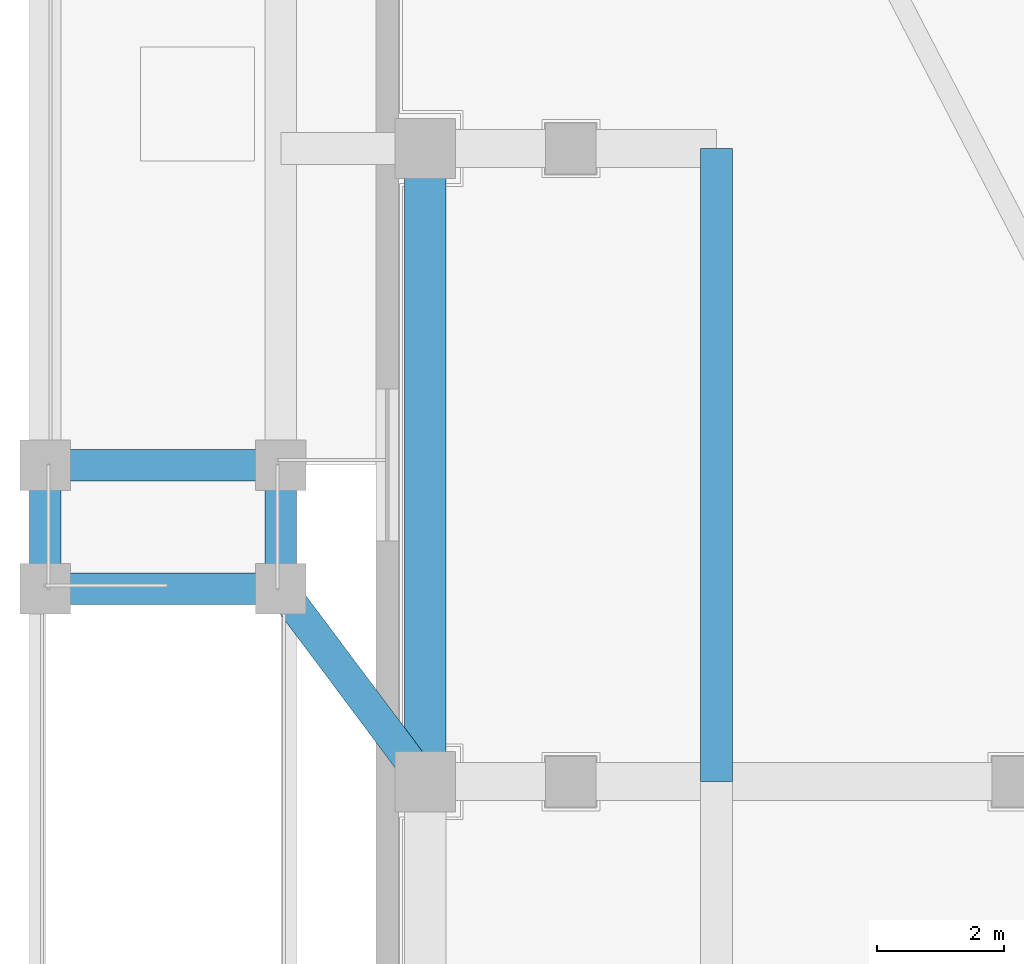
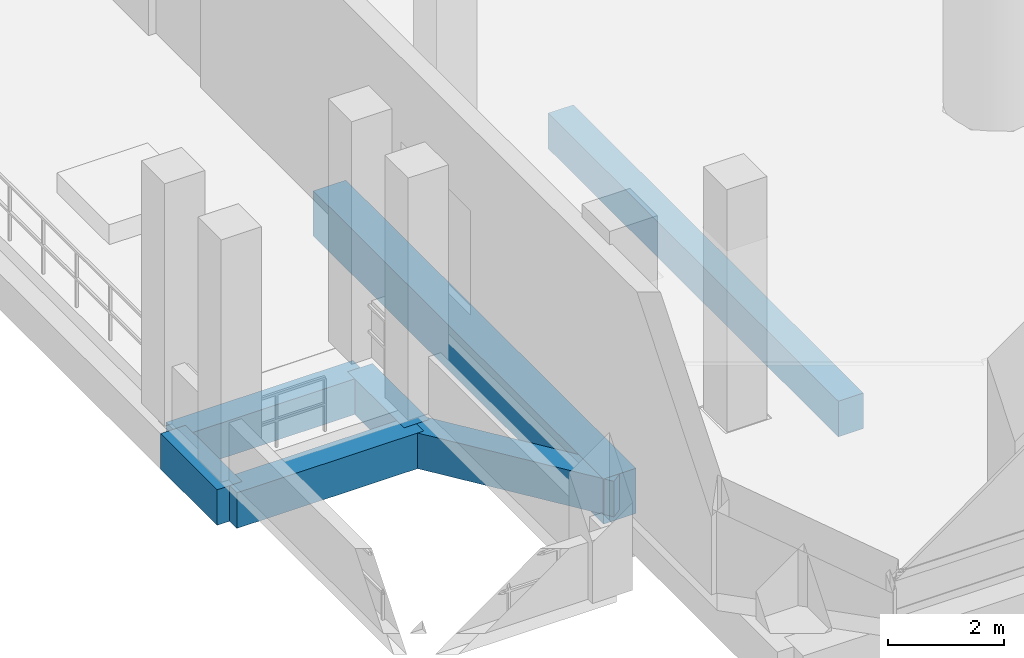
# One storey, part 3 of 31: 7 beams.
"""IFC4 building model written with IfcOpenShell, lengths in metres."""

from ifc_helpers import new_model, si_unit, direction, frame, origin, origin_2d, place, context, subcontext, project, spatial, rectangle, extrude, material, material_profile, profile_set, type_object, element, save


model = new_model("IFC4")

# Units and contexts
model_context = context("Model", 3, precision=1e-05, world=origin(), true_north=direction((-0.2419218956, 0.970295726276)))
body_context = subcontext(model_context, "Body", "Model", "MODEL_VIEW")
ifc_project = project(units=[si_unit("LENGTHUNIT", "METRE"), si_unit("AREAUNIT", "SQUARE_METRE"), si_unit("VOLUMEUNIT", "CUBIC_METRE"), si_unit("PLANEANGLEUNIT", "RADIAN"), si_unit("MASSUNIT", "GRAM", prefix="KILO")], contexts=[model_context])

# Site, building, storey
site_placement = place(None, origin())
site = spatial("IfcSite", under=ifc_project, at=site_placement, CompositionType="ELEMENT")
building_placement = place(site_placement, origin())
building = spatial("IfcBuilding", under=site, at=building_placement, Name="Cobrevalo Terracotta Tower", CompositionType="ELEMENT")
storey_placement = place(building_placement, frame((0.0, 0.0, 18.89990234375)))
storey = spatial("IfcBuildingStorey", under=building, at=storey_placement, Name="L04", CompositionType="ELEMENT", Elevation=18.89990234375)

# Beams
ifc_material = material(Name="Concrete C50", Category="concrete")
ifc_material_profile_1 = material_profile(ifc_material, rectangle(XDim=0.64990234375, YDim=0.949951171875, at=origin_2d()), Name="RC BM 650x950")
ifc_profile_set_1 = profile_set([ifc_material_profile_1], Name="Concrete C50")
beam_type_1 = type_object("IfcBeamType", Name="Structural Spandrel RC BM 650x950 (Concrete C50)", PredefinedType="SPANDREL", material=ifc_profile_set_1)
beam_1_placement = place(storey_placement, frame((4.39990234375, 8.800048828125, -0.9248046875), z_axis=(0.0, 1.0, 0.0), x_axis=(-1.0, 0.0, 0.0)))
element("IfcBeam", 1, at=beam_1_placement, inside=storey, type_object=beam_type_1, Name="L04 podium grid beam G1-GB to G1-GC", PredefinedType="SPANDREL", context=body_context, shape_type="SweptSolid", body=[
    extrude(rectangle(XDim=0.64990234375, YDim=0.949951171875, at=origin_2d()), origin(), (0.0, 0.0, 1.0), 10.0),
])
ifc_material_profile_2 = material_profile(ifc_material, rectangle(XDim=0.5, YDim=0.75, at=origin_2d()), Name="RC BM 500x750")
ifc_profile_set_2 = profile_set([ifc_material_profile_2], Name="Concrete C50")
beam_type_2 = type_object("IfcBeamType", Name="Structural T Beam RC BM 500x750 (Concrete C50)", PredefinedType="T_BEAM", material=ifc_profile_set_2)
beam_2_placement = place(storey_placement, frame((9.0, 8.800048828125, -0.824951171875), z_axis=(0.0, 1.0, 0.0), x_axis=(-1.0, 0.0, 0.0)))
element("IfcBeam", 2, at=beam_2_placement, inside=storey, type_object=beam_type_2, Name="L04 podium grid beam G2-GB to G2-GC", PredefinedType="T_BEAM", context=body_context, shape_type="SweptSolid", body=[
    extrude(rectangle(XDim=0.5, YDim=0.75, at=origin_2d()), origin(), (0.0, 0.0, 1.0), 10.0),
])
for number, where, z_axis, x_axis, name in (
    (3, (-1.60009765625, 11.85009765625, -0.824951171875), (0.0, 1.0, 0.0), (-1.0, 0.0, 0.0), "L04 garden stair landing side beam W1"),
    (4, (2.1201171875, 11.85009765625, -0.824951171875), (0.0, 1.0, 0.0), (-1.0, 0.0, 0.0), "L04 garden stair landing side beam W2"),
):
    element("IfcBeam", number, at=place(storey_placement, frame(where, z_axis=z_axis, x_axis=x_axis)), inside=storey, type_object=beam_type_2, Name=name, PredefinedType="T_BEAM", context=body_context, shape_type="SweptSolid", body=[
        extrude(rectangle(XDim=0.5, YDim=0.75, at=origin_2d()), origin(), (0.0, 0.0, 1.0), 1.949951171875),
    ])
for number, where, z_axis, x_axis, name in (
    (5, (-1.60009765625, 11.85009765625, -0.824951171875), (1.0, 0.0, 0.0), (0.0, 1.0, 0.0), "L04 garden stair shaft header beam WS"),
    (6, (-1.60009765625, 13.800048828125, -0.824951171875), (1.0, 0.0, 0.0), (0.0, 1.0, 0.0), "L04 garden stair shaft header beam WN"),
):
    element("IfcBeam", number, at=place(storey_placement, frame(where, z_axis=z_axis, x_axis=x_axis)), inside=storey, type_object=beam_type_2, Name=name, PredefinedType="T_BEAM", context=body_context, shape_type="SweptSolid", body=[
        extrude(rectangle(XDim=0.5, YDim=0.75, at=origin_2d()), origin(), (0.0, 0.0, 1.0), 3.72021484375),
    ])
beam_3_placement = place(storey_placement, frame((2.1201171875, 11.85009765625, -0.824951171875), z_axis=(0.59869640819, -0.800976036359, 0.0), x_axis=(0.800976036359, 0.59869640819, 0.0)))
element("IfcBeam", 7, at=beam_3_placement, inside=storey, type_object=beam_type_2, Name="L04 garden stair frame tie beam W1", PredefinedType="T_BEAM", context=body_context, shape_type="SweptSolid", body=[
    extrude(rectangle(XDim=0.5, YDim=0.75, at=origin_2d()), origin(), (0.0, 0.0, 1.0), 3.807861328125),
])

save(model, "model.ifc")
